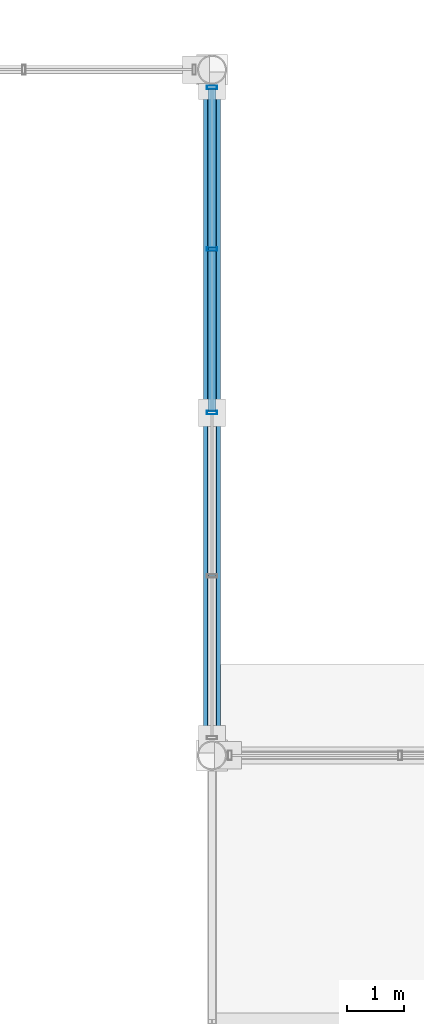
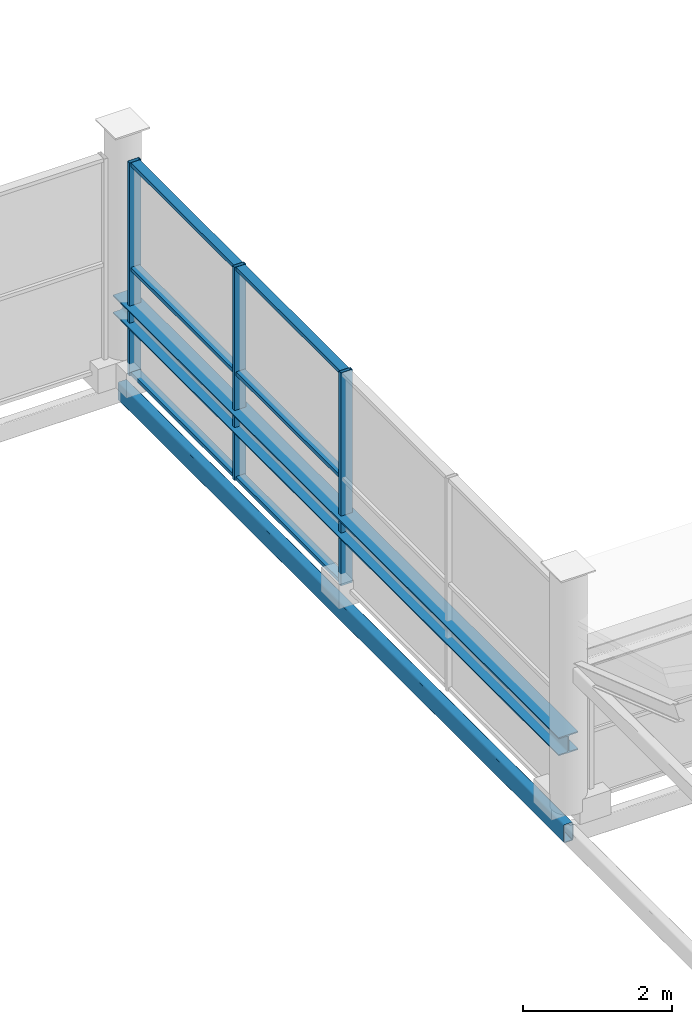
# One storey, part 60 of 117: 9 members, 2 beams, 1 element without a shape of its own.
"""IFC4 building model written with IfcOpenShell, lengths in metres."""

from ifc_helpers import new_model, si_unit, direction, frame, origin, origin_2d, place, context, subcontext, project, spatial, hollow_rectangle, i_section, extrude, material, material_profile, profile_set, type_object, element, aggregate, save


model = new_model("IFC4")

# Units and contexts
model_context = context("Model", 3, precision=1e-05, world=origin(), true_north=direction((0.0, 1.0)))
body_context = subcontext(model_context, "Body", "Model", "MODEL_VIEW")
ifc_project = project(units=[si_unit("LENGTHUNIT", "METRE"), si_unit("AREAUNIT", "SQUARE_METRE"), si_unit("VOLUMEUNIT", "CUBIC_METRE"), si_unit("PLANEANGLEUNIT", "RADIAN"), si_unit("MASSUNIT", "GRAM", prefix="KILO")], contexts=[model_context])

# Site, building, storey
site_placement = place(None, origin())
site = spatial("IfcSite", under=ifc_project, at=site_placement, CompositionType="ELEMENT")
building_placement = place(site_placement, origin())
building = spatial("IfcBuilding", under=site, at=building_placement, Name="Merenkruunu Market Hall", CompositionType="ELEMENT")
storey_placement = place(building_placement, frame((0.0, 0.0, 10.199951171875)))
storey = spatial("IfcBuildingStorey", under=building, at=storey_placement, Name="L02", CompositionType="ELEMENT", Elevation=10.199951171875)

# Curtain wall, members
ifc_material_1 = material(Name="Powder-coated aluminium", Category="aluminium")
curtain_wall_type = type_object("IfcCurtainWallType", Name="Glazed Curtain Wall CW13", PredefinedType="USERDEFINED", material=ifc_material_1)
curtain_wall_placement = place(storey_placement, origin())
curtain_wall = element("IfcCurtainWall", 1, at=curtain_wall_placement, inside=storey, type_object=curtain_wall_type, Name="CW-L02-CWM02-138", ObjectType="GLAZED_FACADE", PredefinedType="USERDEFINED")
ifc_material_profile_1 = material_profile(ifc_material_1, hollow_rectangle(XDim=0.06005859375, YDim=0.179931640625, WallThickness=0.00390625, at=origin_2d()), Name="ALU 60x180x4")
ifc_profile_set_1 = profile_set([ifc_material_profile_1], Name="Powder-coated aluminium")
member_type_1 = type_object("IfcMemberType", Name="Curtain Wall Mullion CWM02", PredefinedType="MULLION", material=ifc_profile_set_1)
member_1_placement = place(storey_placement, frame((57.60009765625, 111.2900390625, 0.0), z_axis=(0.0, 0.0, 1.0), x_axis=(0.0, -1.0, 0.0)))
member_1 = element("IfcMember", 2, at=member_1_placement, type_object=member_type_1, Name="CW13 mullion 1", PredefinedType="MULLION", context=body_context, shape_type="SweptSolid", body=[
    extrude(hollow_rectangle(XDim=0.06005859375, YDim=0.179931640625, WallThickness=0.00390625, at=origin_2d()), origin(), (0.0, 0.0, 1.0), 3.5),
])
member_2_placement = place(storey_placement, frame((57.60009765625, 108.4599609375, 0.0), z_axis=(0.0, 0.0, 1.0), x_axis=(0.0, -1.0, 0.0)))
member_2 = element("IfcMember", 3, at=member_2_placement, type_object=member_type_1, Name="CW13 mullion 2", PredefinedType="MULLION", context=body_context, shape_type="SweptSolid", body=[
    extrude(hollow_rectangle(XDim=0.06005859375, YDim=0.179931640625, WallThickness=0.00390625, at=origin_2d()), origin(), (0.0, 0.0, 1.0), 3.5),
])
member_3_placement = place(storey_placement, frame((57.60009765625, 105.60009765625, 0.0), z_axis=(0.0, 0.0, 1.0), x_axis=(0.0, -1.0, 0.0)))
member_3 = element("IfcMember", 4, at=member_3_placement, type_object=member_type_1, Name="CW13 mullion 3", PredefinedType="MULLION", context=body_context, shape_type="SweptSolid", body=[
    extrude(hollow_rectangle(XDim=0.06005859375, YDim=0.179931640625, WallThickness=0.00390625, at=origin_2d()), origin(), (0.0, 0.0, 1.0), 3.5),
])
ifc_material_profile_2 = material_profile(ifc_material_1, hollow_rectangle(XDim=0.06005859375, YDim=0.139892578125, WallThickness=0.00390625, at=origin_2d()), Name="ALU 60x140x4")
ifc_profile_set_2 = profile_set([ifc_material_profile_2], Name="Powder-coated aluminium")
member_type_2 = type_object("IfcMemberType", Name="Curtain Wall Transom CWT02", PredefinedType="USERDEFINED", material=ifc_profile_set_2)
member_4_placement = place(storey_placement, frame((57.60009765625, 111.260009765625, 0.030029296875), z_axis=(0.0, -1.0, 0.0), x_axis=(0.0, 0.0, 1.0)))
member_4 = element("IfcMember", 5, at=member_4_placement, type_object=member_type_2, Name="CW13 transom 1.1", ObjectType="TRANSOM", PredefinedType="USERDEFINED", context=body_context, shape_type="SweptSolid", body=[
    extrude(hollow_rectangle(XDim=0.06005859375, YDim=0.139892578125, WallThickness=0.00390625, at=origin_2d()), origin(), (0.0, 0.0, 1.0), 2.77001953125),
])
member_5_placement = place(storey_placement, frame((57.60009765625, 111.260009765625, 1.75), z_axis=(0.0, -1.0, 0.0), x_axis=(0.0, 0.0, 1.0)))
member_5 = element("IfcMember", 6, at=member_5_placement, type_object=member_type_2, Name="CW13 transom 1.2", ObjectType="TRANSOM", PredefinedType="USERDEFINED", context=body_context, shape_type="SweptSolid", body=[
    extrude(hollow_rectangle(XDim=0.06005859375, YDim=0.139892578125, WallThickness=0.00390625, at=origin_2d()), origin(), (0.0, 0.0, 1.0), 2.77001953125),
])
member_6_placement = place(storey_placement, frame((57.60009765625, 111.260009765625, 3.469970703125), z_axis=(0.0, -1.0, 0.0), x_axis=(0.0, 0.0, 1.0)))
member_6 = element("IfcMember", 7, at=member_6_placement, type_object=member_type_2, Name="CW13 transom 1.3", ObjectType="TRANSOM", PredefinedType="USERDEFINED", context=body_context, shape_type="SweptSolid", body=[
    extrude(hollow_rectangle(XDim=0.06005859375, YDim=0.139892578125, WallThickness=0.00390625, at=origin_2d()), origin(), (0.0, 0.0, 1.0), 2.77001953125),
])
member_7_placement = place(storey_placement, frame((57.60009765625, 108.429931640625, 0.030029296875), z_axis=(0.0, -1.0, 0.0), x_axis=(0.0, 0.0, 1.0)))
member_7 = element("IfcMember", 8, at=member_7_placement, type_object=member_type_2, Name="CW13 transom 2.1", ObjectType="TRANSOM", PredefinedType="USERDEFINED", context=body_context, shape_type="SweptSolid", body=[
    extrude(hollow_rectangle(XDim=0.06005859375, YDim=0.139892578125, WallThickness=0.00390625, at=origin_2d()), origin(), (0.0, 0.0, 1.0), 2.800048828125),
])
member_8_placement = place(storey_placement, frame((57.60009765625, 108.429931640625, 1.75), z_axis=(0.0, -1.0, 0.0), x_axis=(0.0, 0.0, 1.0)))
member_8 = element("IfcMember", 9, at=member_8_placement, type_object=member_type_2, Name="CW13 transom 2.2", ObjectType="TRANSOM", PredefinedType="USERDEFINED", context=body_context, shape_type="SweptSolid", body=[
    extrude(hollow_rectangle(XDim=0.06005859375, YDim=0.139892578125, WallThickness=0.00390625, at=origin_2d()), origin(), (0.0, 0.0, 1.0), 2.800048828125),
])
member_9_placement = place(storey_placement, frame((57.60009765625, 108.429931640625, 3.469970703125), z_axis=(0.0, -1.0, 0.0), x_axis=(0.0, 0.0, 1.0)))
member_9 = element("IfcMember", 10, at=member_9_placement, type_object=member_type_2, Name="CW13 transom 2.3", ObjectType="TRANSOM", PredefinedType="USERDEFINED", context=body_context, shape_type="SweptSolid", body=[
    extrude(hollow_rectangle(XDim=0.06005859375, YDim=0.139892578125, WallThickness=0.00390625, at=origin_2d()), origin(), (0.0, 0.0, 1.0), 2.800048828125),
])
aggregate(curtain_wall, [member_1, member_2, member_3, member_4, member_5, member_6, member_7, member_8, member_9])

# Beams
ifc_material_2 = material(Name="Steel S355J2", Category="steel")
ifc_material_profile_3 = material_profile(ifc_material_2, hollow_rectangle(XDim=0.14990234375, YDim=0.300048828125, WallThickness=0.012451171875, InnerFilletRadius=0.012451171875, OuterFilletRadius=0.02490234375, at=origin_2d()), Name="RHS 300x150x12.5")
ifc_profile_set_3 = profile_set([ifc_material_profile_3], Name="Steel S355J2")
beam_type_1 = type_object("IfcBeamType", Name="Perimeter Spandrel Beam SP03", PredefinedType="SPANDREL", material=ifc_profile_set_3)
beam_1_placement = place(storey_placement, frame((57.60009765625, 99.60009765625, -0.4599609375), z_axis=(0.0, 1.0, 0.0), x_axis=(-1.0, 0.0, 0.0)))
element("IfcBeam", 11, at=beam_1_placement, inside=storey, type_object=beam_type_1, Name="BM-L02-SP03-1235", PredefinedType="SPANDREL", context=body_context, shape_type="SweptSolid", body=[
    extrude(hollow_rectangle(XDim=0.14990234375, YDim=0.300048828125, WallThickness=0.012451171875, InnerFilletRadius=0.012451171875, OuterFilletRadius=0.02490234375, at=origin_2d()), origin(), (0.0, 0.0, 1.0), 12.0),
])
ifc_material_profile_4 = material_profile(ifc_material_2, i_section(OverallWidth=0.300048828125, OverallDepth=0.300048828125, WebThickness=0.010986328125, FlangeThickness=0.01904296875, FilletRadius=0.027099609375, at=origin_2d()), Name="HEB 300")
ifc_profile_set_4 = profile_set([ifc_material_profile_4], Name="Steel S355J2")
beam_type_2 = type_object("IfcBeamType", Name="Primary Floor Girder B05", PredefinedType="BEAM", material=ifc_profile_set_4)
beam_2_placement = place(storey_placement, frame((57.60009765625, 99.60009765625, 1.0), z_axis=(0.0, 1.0, 0.0), x_axis=(-1.0, 0.0, 0.0)))
element("IfcBeam", 12, at=beam_2_placement, inside=storey, type_object=beam_type_2, Name="BM-L02-B05-1336", PredefinedType="BEAM", context=body_context, shape_type="SweptSolid", body=[
    extrude(i_section(OverallWidth=0.300048828125, OverallDepth=0.300048828125, WebThickness=0.010986328125, FlangeThickness=0.01904296875, FilletRadius=0.027099609375, at=origin_2d()), origin(), (0.0, 0.0, 1.0), 12.0),
])

save(model, "model.ifc")
